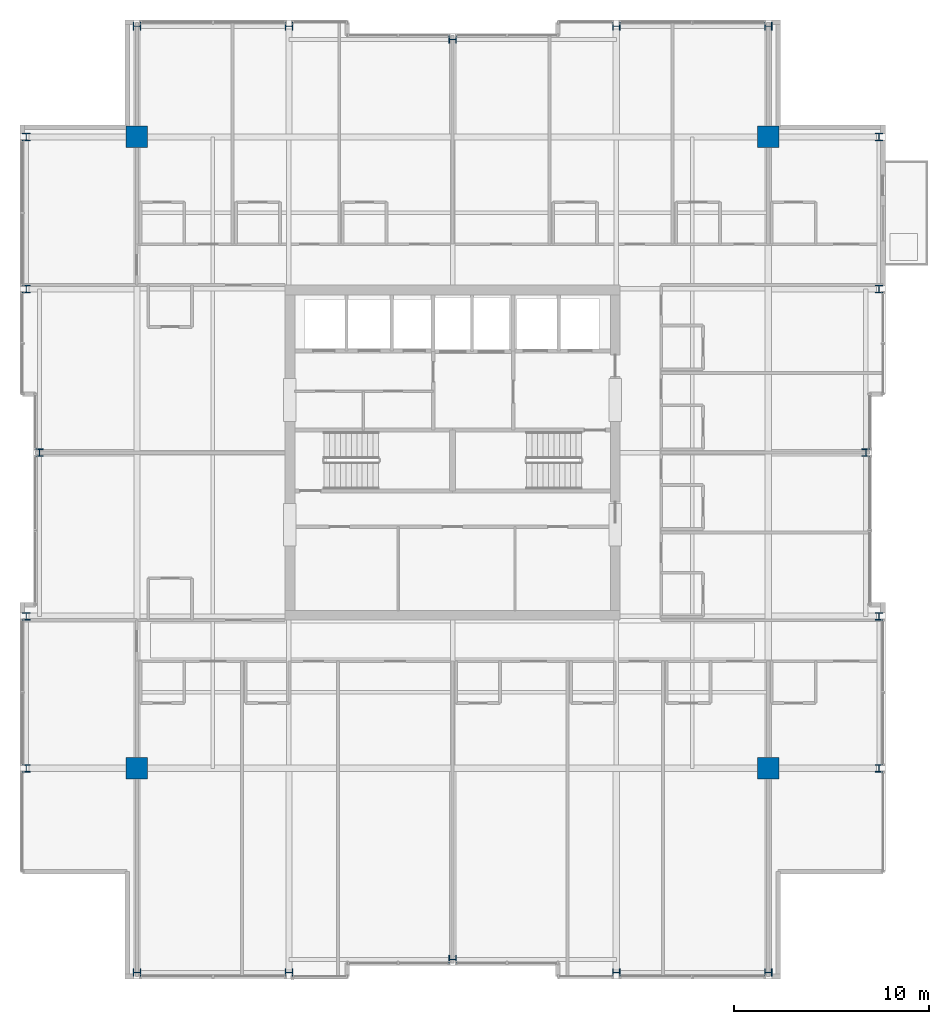
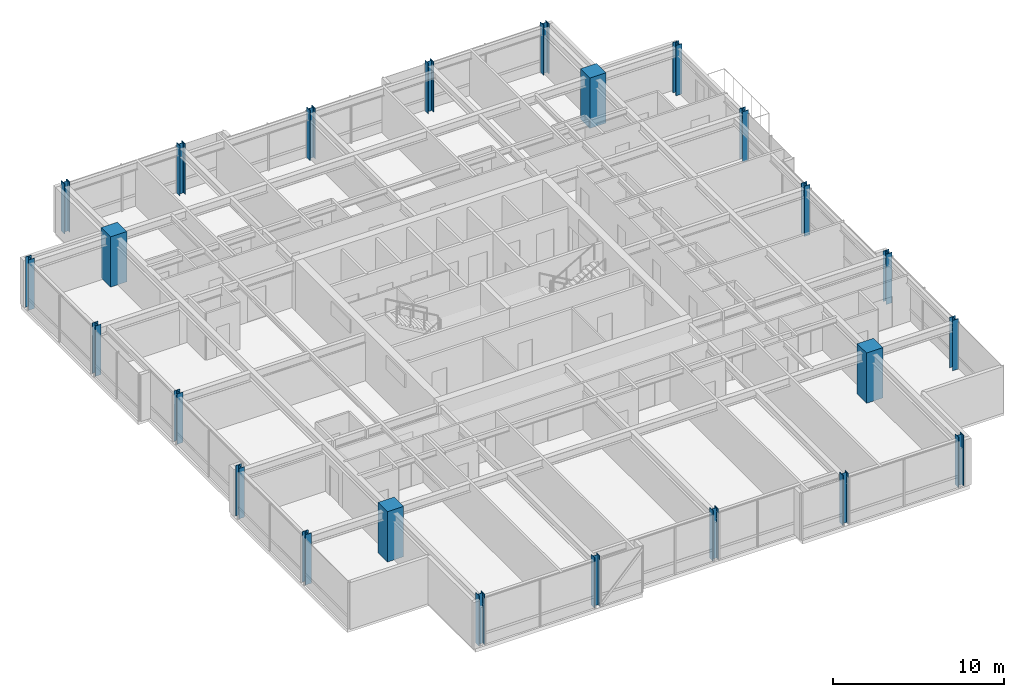
# One storey, part 1 of 34: 24 columns.
"""IFC4 building model written with IfcOpenShell, lengths in metres."""

from ifc_helpers import new_model, si_unit, direction, frame, origin, origin_2d, place, context, subcontext, project, spatial, rectangle, i_section, extrude, material, material_profile, profile_set, type_object, element, save


model = new_model("IFC4")

# Units and contexts
model_context = context("Model", 3, precision=1e-05, world=origin(), true_north=direction((0.0, 1.0)))
body_context = subcontext(model_context, "Body", "Model", "MODEL_VIEW")
ifc_project = project(units=[si_unit("LENGTHUNIT", "METRE"), si_unit("AREAUNIT", "SQUARE_METRE"), si_unit("VOLUMEUNIT", "CUBIC_METRE"), si_unit("PLANEANGLEUNIT", "RADIAN"), si_unit("MASSUNIT", "GRAM", prefix="KILO")], contexts=[model_context])

# Site, building, storey
site_placement = place(None, origin())
site = spatial("IfcSite", under=ifc_project, at=site_placement, CompositionType="ELEMENT")
building_placement = place(site_placement, origin())
building = spatial("IfcBuilding", under=site, at=building_placement, Name="Drelvath Grand Hotel", CompositionType="ELEMENT")
storey_placement = place(building_placement, frame((0.0, 0.0, 208.699951171875)))
storey = spatial("IfcBuildingStorey", under=building, at=storey_placement, Name="L54", CompositionType="ELEMENT", Elevation=208.699951171875)

# Columns
ifc_material_1 = material(Name="Concrete f'c 55 MPa", Category="concrete")
ifc_material_profile_1 = material_profile(ifc_material_1, rectangle(XDim=1.10009765625, YDim=1.10009765625, at=origin_2d()), Name="MC1100X1100")
ifc_profile_set_1 = profile_set([ifc_material_profile_1], Name="Concrete f'c 55 MPa")
column_type_1 = type_object("IfcColumnType", Name="Composite Mega Column MC1100X1100", PredefinedType="COLUMN", material=ifc_profile_set_1)
for number, where, z_axis, x_axis, name in (
    (1, (-16.199951171875, 10.800048828125, 0.0), (0.0, 0.0, 1.0), (1.0, 0.0, 0.0), "L54 Composite Mega Column MC-SW"),
    (2, (16.199951171875, 10.800048828125, 0.0), (0.0, 0.0, 1.0), (1.0, 0.0, 0.0), "L54 Composite Mega Column MC-SE"),
    (3, (-16.199951171875, 43.199951171875, 0.0), (0.0, 0.0, 1.0), (1.0, 0.0, 0.0), "L54 Composite Mega Column MC-NW"),
    (4, (16.199951171875, 43.199951171875, 0.0), (0.0, 0.0, 1.0), (1.0, 0.0, 0.0), "L54 Composite Mega Column MC-NE"),
):
    element("IfcColumn", number, at=place(storey_placement, frame(where, z_axis=z_axis, x_axis=x_axis)), inside=storey, type_object=column_type_1, Name=name, PredefinedType="COLUMN", context=body_context, shape_type="SweptSolid", body=[
        extrude(rectangle(XDim=1.10009765625, YDim=1.10009765625, at=origin_2d()), origin(), (0.0, 0.0, 1.0), 3.60009765625),
    ])
ifc_material_2 = material(Name="Steel ASTM A913 Gr 65", Category="steel")
ifc_material_profile_2 = material_profile(ifc_material_2, i_section(OverallWidth=0.3974609375, OverallDepth=0.38671875, WebThickness=0.02099609375, FlangeThickness=0.033203125, FilletRadius=0.02490234375, at=origin_2d()), Name="W14X176")
ifc_profile_set_2 = profile_set([ifc_material_profile_2], Name="Steel ASTM A913 Gr 65")
column_type_2 = type_object("IfcColumnType", Name="Perimeter Steel Column W14X176", PredefinedType="COLUMN", material=ifc_profile_set_2)
for number, where, z_axis, x_axis, name in (
    (5, (-21.8798828125, 10.800048828125, 0.0), (0.0, 0.0, 1.0), (1.0, 0.0, 0.0), "L54 Structural Column TCW-C"),
    (6, (21.8798828125, 10.800048828125, 0.0), (0.0, 0.0, 1.0), (1.0, 0.0, 0.0), "L54 Structural Column TCE-C"),
    (7, (-21.8798828125, 18.60009765625, 0.0), (0.0, 0.0, 1.0), (1.0, 0.0, 0.0), "L54 Structural Column TCW-D"),
    (8, (21.8798828125, 18.60009765625, 0.0), (0.0, 0.0, 1.0), (1.0, 0.0, 0.0), "L54 Structural Column TCE-D"),
    (9, (-21.199951171875, 27.0, 0.0), (0.0, 0.0, 1.0), (1.0, 0.0, 0.0), "L54 Structural Column TCW-E"),
    (10, (21.199951171875, 27.0, 0.0), (0.0, 0.0, 1.0), (1.0, 0.0, 0.0), "L54 Structural Column TCE-E"),
    (11, (-21.8798828125, 35.39990234375, 0.0), (0.0, 0.0, 1.0), (1.0, 0.0, 0.0), "L54 Structural Column TCW-F"),
    (12, (21.8798828125, 35.39990234375, 0.0), (0.0, 0.0, 1.0), (1.0, 0.0, 0.0), "L54 Structural Column TCE-F"),
    (13, (-21.8798828125, 43.199951171875, 0.0), (0.0, 0.0, 1.0), (1.0, 0.0, 0.0), "L54 Structural Column TCW-G"),
    (14, (21.8798828125, 43.199951171875, 0.0), (0.0, 0.0, 1.0), (1.0, 0.0, 0.0), "L54 Structural Column TCE-G"),
    (15, (-16.199951171875, 0.320068359375, 0.0), (0.0, 0.0, 1.0), (0.0, 1.0, 0.0), "L54 Structural Column TCS-3"),
    (16, (-16.199951171875, 48.8798828125, 0.0), (0.0, 0.0, 1.0), (0.0, 1.0, 0.0), "L54 Structural Column TCN-3"),
    (17, (-8.39990234375, 0.320068359375, 0.0), (0.0, 0.0, 1.0), (0.0, 1.0, 0.0), "L54 Structural Column TCS-4"),
    (18, (-8.39990234375, 48.8798828125, 0.0), (0.0, 0.0, 1.0), (0.0, 1.0, 0.0), "L54 Structural Column TCN-4"),
    (19, (0.0, 1.0, 0.0), (0.0, 0.0, 1.0), (0.0, 1.0, 0.0), "L54 Structural Column TCS-5"),
    (20, (0.0, 48.199951171875, 0.0), (0.0, 0.0, 1.0), (0.0, 1.0, 0.0), "L54 Structural Column TCN-5"),
    (21, (8.39990234375, 0.320068359375, 0.0), (0.0, 0.0, 1.0), (0.0, 1.0, 0.0), "L54 Structural Column TCS-6"),
    (22, (8.39990234375, 48.8798828125, 0.0), (0.0, 0.0, 1.0), (0.0, 1.0, 0.0), "L54 Structural Column TCN-6"),
    (23, (16.199951171875, 0.320068359375, 0.0), (0.0, 0.0, 1.0), (0.0, 1.0, 0.0), "L54 Structural Column TCS-7"),
    (24, (16.199951171875, 48.8798828125, 0.0), (0.0, 0.0, 1.0), (0.0, 1.0, 0.0), "L54 Structural Column TCN-7"),
):
    element("IfcColumn", number, at=place(storey_placement, frame(where, z_axis=z_axis, x_axis=x_axis)), inside=storey, type_object=column_type_2, Name=name, PredefinedType="COLUMN", context=body_context, shape_type="SweptSolid", body=[
        extrude(i_section(OverallWidth=0.3974609375, OverallDepth=0.38671875, WebThickness=0.02099609375, FlangeThickness=0.033203125, FilletRadius=0.02490234375, at=origin_2d()), origin(), (0.0, 0.0, 1.0), 3.59716796875),
    ])

save(model, "model.ifc")
